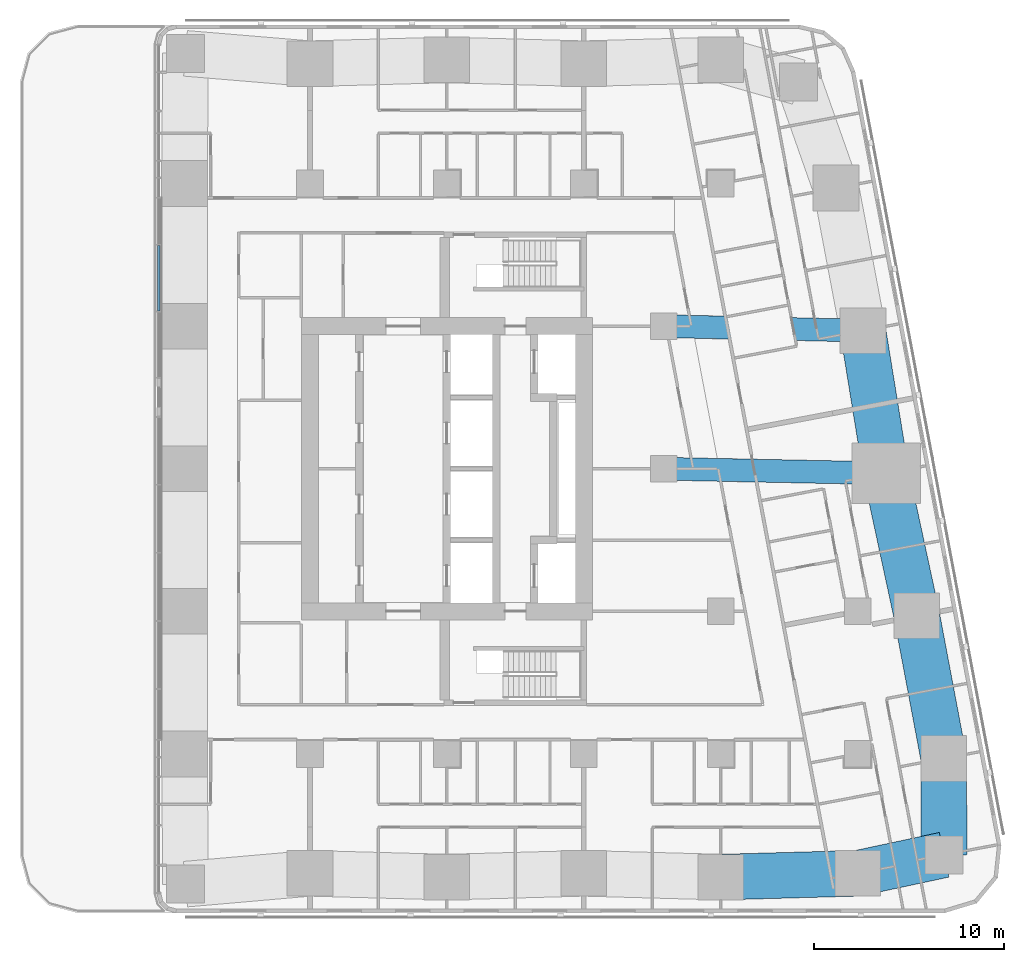
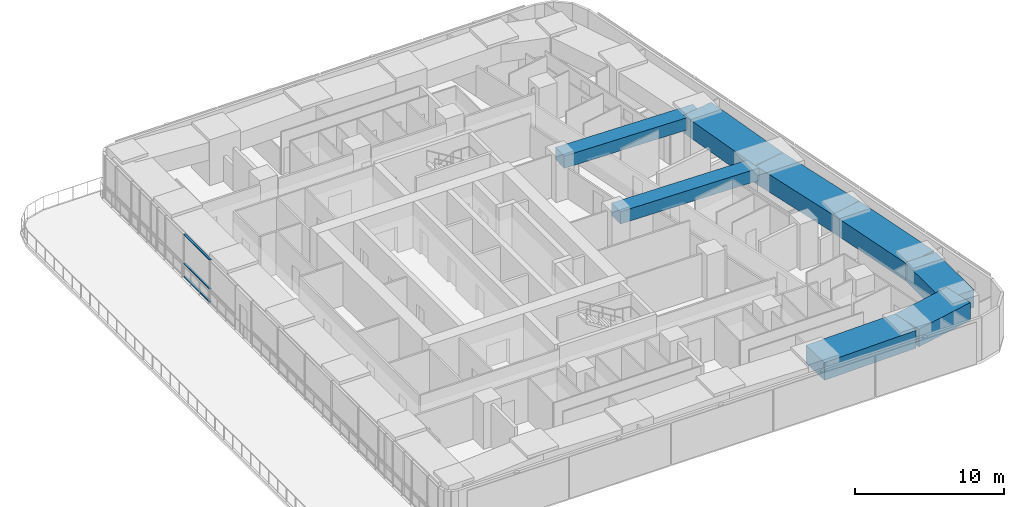
# One storey, part 4 of 17: 8 beams, 3 members, 1 element without a shape of its own.
"""IFC4 building model written with IfcOpenShell, lengths in metres."""

from ifc_helpers import new_model, si_unit, direction, frame, origin, origin_2d, place, context, subcontext, project, spatial, rectangle, extrude, material, material_profile, profile_set, type_object, element, aggregate, save


model = new_model("IFC4")

# Units and contexts
model_context = context("Model", 3, precision=1e-05, world=origin(), true_north=direction((0.0, 1.0)))
body_context = subcontext(model_context, "Body", "Model", "MODEL_VIEW")
ifc_project = project(units=[si_unit("LENGTHUNIT", "METRE"), si_unit("AREAUNIT", "SQUARE_METRE"), si_unit("VOLUMEUNIT", "CUBIC_METRE"), si_unit("PLANEANGLEUNIT", "RADIAN"), si_unit("MASSUNIT", "GRAM", prefix="KILO")], contexts=[model_context])

# Site, building, storey
site_placement = place(None, origin())
site = spatial("IfcSite", under=ifc_project, at=site_placement, CompositionType="ELEMENT")
building_placement = place(site_placement, origin())
building = spatial("IfcBuilding", under=site, at=building_placement, Name="Sheger Commons Tower", CompositionType="ELEMENT")
storey_placement = place(building_placement, frame((0.0, 0.0, 193.699951171875)))
storey = spatial("IfcBuildingStorey", under=building, at=storey_placement, Name="L49", CompositionType="ELEMENT", Elevation=193.699951171875)

# Beams
ifc_material_1 = material(Name="Concrete C50/60", Category="concrete")
ifc_material_profile_1 = material_profile(ifc_material_1, rectangle(XDim=1.199951171875, YDim=1.0, at=origin_2d()), Name="RC 1200x1000")
ifc_profile_set_1 = profile_set([ifc_material_profile_1], Name="Concrete C50/60")
beam_type_1 = type_object("IfcBeamType", Name="BEAM RC 1200x1000", PredefinedType="BEAM", material=ifc_profile_set_1)
beam_1_placement = place(storey_placement, frame((33.0, 22.5, 3.0), z_axis=(0.999794692776, -0.02026258368, 0.0), x_axis=(0.02026258368, 0.999794692776, 0.0)))
element("IfcBeam", 1, at=beam_1_placement, inside=storey, type_object=beam_type_1, Name="Beam 6-3000/D-7/D under L50", PredefinedType="BEAM", context=body_context, shape_type="SweptSolid", body=[
    extrude(rectangle(XDim=1.199951171875, YDim=1.0, at=origin_2d()), origin(), (0.0, 0.0, 1.0), 11.699462890625),
])
beam_2_placement = place(storey_placement, frame((33.0, 30.0, 3.0), z_axis=(0.999744258625, -0.022614538395, 0.0), x_axis=(0.022614538395, 0.999744258625, 0.0)))
element("IfcBeam", 2, at=beam_2_placement, inside=storey, type_object=beam_type_1, Name="Beam 6-3000/E-E/E under L50", PredefinedType="BEAM", context=body_context, shape_type="SweptSolid", body=[
    extrude(rectangle(XDim=1.199951171875, YDim=1.0, at=origin_2d()), origin(), (0.0, 0.0, 1.0), 10.482666015625),
])
ifc_material_2 = material(Name="Concrete C50/60", Category="concrete")
ifc_material_profile_2 = material_profile(ifc_material_2, rectangle(XDim=2.39990234375, YDim=1.449951171875, at=origin_2d()), Name="RC 2400x1450")
ifc_profile_set_2 = profile_set([ifc_material_profile_2], Name="Concrete C50/60")
beam_type_2 = type_object("IfcBeamType", Name="SPANDREL RC 2400x1450", PredefinedType="SPANDREL", material=ifc_profile_set_2)
beam_3_placement = place(storey_placement, frame((36.0, 1.02490234375, 2.775146484375), z_axis=(0.9996136624, 0.027794350926, 0.0), x_axis=(-0.027794350926, 0.9996136624, 0.0)))
element("IfcBeam", 3, at=beam_3_placement, inside=storey, type_object=beam_type_2, Name="Beam 6/A-7/A under L50", PredefinedType="SPANDREL", context=body_context, shape_type="SweptSolid", body=[
    extrude(rectangle(XDim=2.39990234375, YDim=1.449951171875, at=origin_2d()), origin(), (0.0, 0.0, 1.0), 7.20263671875),
])
beam_4_placement = place(storey_placement, frame((43.199951171875, 1.22509765625, 2.775146484375), z_axis=(0.977919796671, 0.208980552394, 0.0), x_axis=(-0.208980552394, 0.977919796671, 0.0)))
element("IfcBeam", 4, at=beam_4_placement, inside=storey, type_object=beam_type_2, Name="Beam 7/A-49.461,0.778 under L50", PredefinedType="SPANDREL", context=body_context, shape_type="SweptSolid", body=[
    extrude(rectangle(XDim=2.39990234375, YDim=1.449951171875, at=origin_2d()), origin(), (0.0, 0.0, 1.0), 4.65087890625),
])
beam_5_placement = place(storey_placement, frame((47.748046875, 2.197021484375, 2.775146484375), z_axis=(-0.003566242382, 0.999993640937, 0.0), x_axis=(-0.999993640937, -0.003566242382, 0.0)))
element("IfcBeam", 5, at=beam_5_placement, inside=storey, type_object=beam_type_2, Name="Beam 49.461,0.778-E/B under L50", PredefinedType="SPANDREL", context=body_context, shape_type="SweptSolid", body=[
    extrude(rectangle(XDim=2.39990234375, YDim=1.449951171875, at=origin_2d()), origin(), (0.0, 0.0, 1.0), 5.06591796875),
])
beam_6_placement = place(storey_placement, frame((47.72998046875, 7.262939453125, 2.775146484375), z_axis=(-0.18552441405, 0.982639655108, 0.0), x_axis=(-0.982639655108, -0.18552441405, 0.0)))
element("IfcBeam", 6, at=beam_6_placement, inside=storey, type_object=beam_type_2, Name="Beam E/B-E/C under L50", PredefinedType="SPANDREL", context=body_context, shape_type="SweptSolid", body=[
    extrude(rectangle(XDim=2.39990234375, YDim=1.449951171875, at=origin_2d()), origin(), (0.0, 0.0, 1.0), 7.632568359375),
])
beam_7_placement = place(storey_placement, frame((46.31396484375, 14.762939453125, 2.775146484375), z_axis=(-0.210750229323, 0.977539943348, 0.0), x_axis=(-0.977539943348, -0.210750229323, 0.0)))
element("IfcBeam", 7, at=beam_7_placement, inside=storey, type_object=beam_type_2, Name="Beam E/C-E/D under L50", PredefinedType="SPANDREL", context=body_context, shape_type="SweptSolid", body=[
    extrude(rectangle(XDim=2.39990234375, YDim=1.449951171875, at=origin_2d()), origin(), (0.0, 0.0, 1.0), 7.67236328125),
])
beam_8_placement = place(storey_placement, frame((44.697021484375, 22.262939453125, 2.775146484375), z_axis=(-0.160176929512, 0.987088319884, 0.0), x_axis=(-0.987088319884, -0.160176929512, 0.0)))
element("IfcBeam", 8, at=beam_8_placement, inside=storey, type_object=beam_type_2, Name="Beam E/D-E/E under L50", PredefinedType="SPANDREL", context=body_context, shape_type="SweptSolid", body=[
    extrude(rectangle(XDim=2.39990234375, YDim=1.449951171875, at=origin_2d()), origin(), (0.0, 0.0, 1.0), 7.59814453125),
])

# Curtain wall, members
ifc_material_3 = material(Name="Black aluminium curtain wall, dark tinted glazing", Category="aluminium")
curtain_wall_type = type_object("IfcCurtainWallType", Name="CURTAIN WALL CW4 GALLERY", PredefinedType="USERDEFINED", material=ifc_material_3)
curtain_wall_placement = place(storey_placement, origin())
curtain_wall = element("IfcCurtainWall", 9, at=curtain_wall_placement, inside=storey, type_object=curtain_wall_type, Name="Curtain Wall Cw4 Gallery W1 L49", ObjectType="UNITISED CURTAIN WALL", PredefinedType="USERDEFINED")
ifc_material_4 = material(Name="Black anodised aluminium", Category="aluminium")
ifc_material_profile_3 = material_profile(ifc_material_4, rectangle(XDim=0.14990234375, YDim=0.06494140625, at=origin_2d()), Name="AL 65x150")
ifc_profile_set_3 = profile_set([ifc_material_profile_3], Name="Black anodised aluminium")
member_type = type_object("IfcMemberType", Name="TRANSOM AL 65x150", PredefinedType="USERDEFINED", material=ifc_profile_set_3)
member_1_placement = place(storey_placement, frame((6.449951171875, 34.25244140625, 0.032470703125), z_axis=(0.0, -1.0, 0.0), x_axis=(1.0, 0.0, 0.0)))
member_1 = element("IfcMember", 10, at=member_1_placement, type_object=member_type, Name="CW4 transom 8.1", ObjectType="TRANSOM", PredefinedType="USERDEFINED", context=body_context, shape_type="SweptSolid", body=[
    extrude(rectangle(XDim=0.14990234375, YDim=0.06494140625, at=origin_2d()), origin(), (0.0, 0.0, 1.0), 3.452880859375),
])
member_2_placement = place(storey_placement, frame((6.449951171875, 34.25244140625, 1.10009765625), z_axis=(0.0, -1.0, 0.0), x_axis=(1.0, 0.0, 0.0)))
member_2 = element("IfcMember", 11, at=member_2_placement, type_object=member_type, Name="CW4 transom 8.2", ObjectType="TRANSOM", PredefinedType="USERDEFINED", context=body_context, shape_type="SweptSolid", body=[
    extrude(rectangle(XDim=0.14990234375, YDim=0.06494140625, at=origin_2d()), origin(), (0.0, 0.0, 1.0), 3.452880859375),
])
member_3_placement = place(storey_placement, frame((6.449951171875, 34.25244140625, 3.467529296875), z_axis=(0.0, -1.0, 0.0), x_axis=(1.0, 0.0, 0.0)))
member_3 = element("IfcMember", 12, at=member_3_placement, type_object=member_type, Name="CW4 transom 8.3", ObjectType="TRANSOM", PredefinedType="USERDEFINED", context=body_context, shape_type="SweptSolid", body=[
    extrude(rectangle(XDim=0.14990234375, YDim=0.06494140625, at=origin_2d()), origin(), (0.0, 0.0, 1.0), 3.452880859375),
])
aggregate(curtain_wall, [member_1, member_2, member_3])

save(model, "model.ifc")
